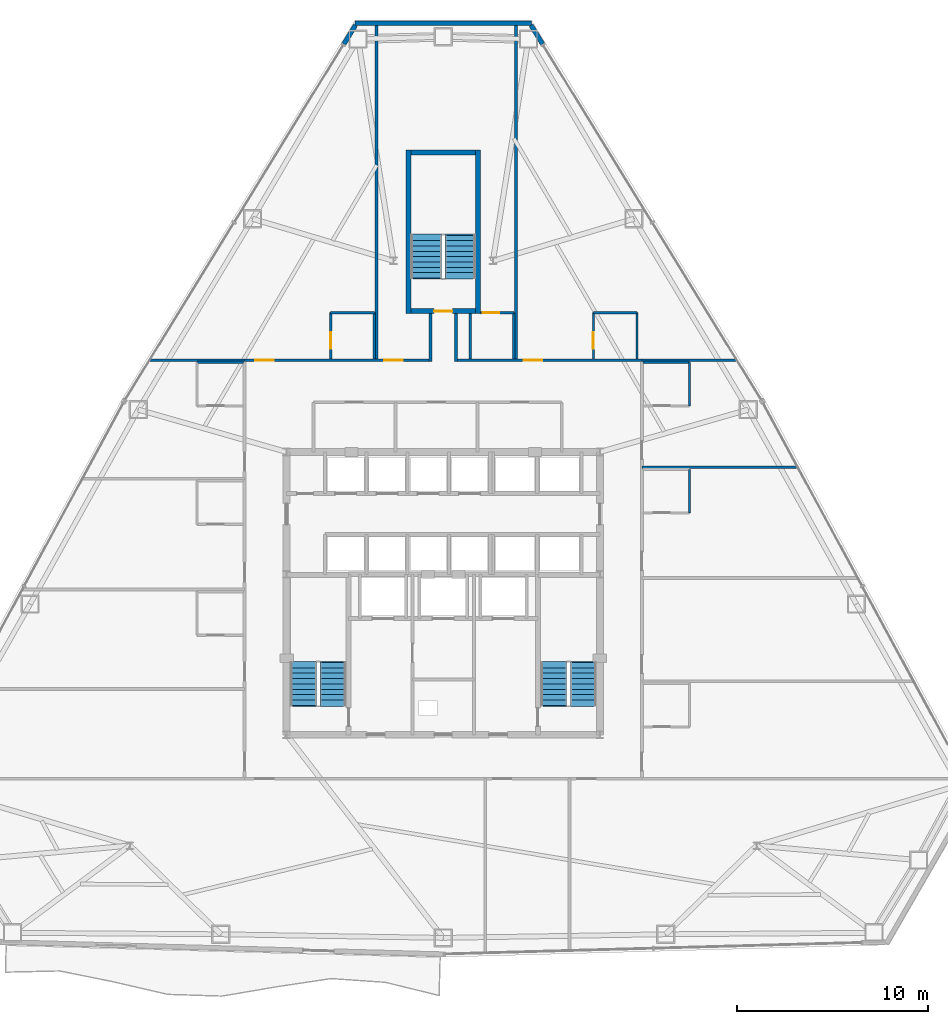
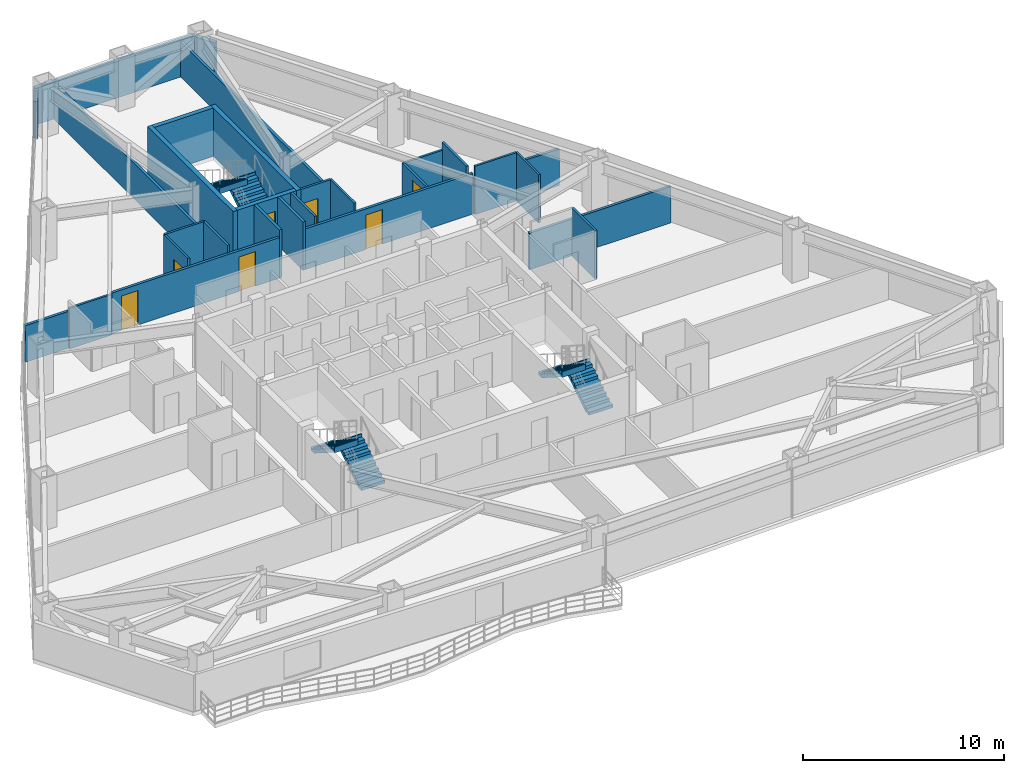
# One storey, part 11 of 13: 29 walls, 7 doors, 6 stair flights, 7 openings, 3 elements without a shape of their own.
"""IFC4 building model written with IfcOpenShell, lengths in metres."""

from ifc_helpers import new_model, si_unit, direction, frame, frame_2d, origin, place, context, subcontext, project, spatial, polyline, rectangle, outline, extrude, material, layer, layer_set, type_object, element, fill, aggregate, save


model = new_model("IFC4")

# Units and contexts
model_context = context("Model", 3, precision=1e-05, world=origin(), true_north=direction((0.0, 1.0)))
body_context = subcontext(model_context, "Body", "Model", "MODEL_VIEW")
ifc_project = project(units=[si_unit("LENGTHUNIT", "METRE"), si_unit("AREAUNIT", "SQUARE_METRE"), si_unit("VOLUMEUNIT", "CUBIC_METRE"), si_unit("PLANEANGLEUNIT", "RADIAN"), si_unit("MASSUNIT", "GRAM", prefix="KILO")], contexts=[model_context])

# Site, building, storey
site_placement = place(None, origin())
site = spatial("IfcSite", under=ifc_project, at=site_placement, CompositionType="ELEMENT")
building_placement = place(site_placement, origin())
building = spatial("IfcBuilding", under=site, at=building_placement, Name="Varakhsha Concourse Tower", CompositionType="ELEMENT")
storey_placement = place(building_placement, frame((0.0, 0.0, 108.60009765625)))
storey = spatial("IfcBuildingStorey", under=building, at=storey_placement, Name="L31", CompositionType="ELEMENT", Elevation=108.60009765625)

# Walls
ifc_material_1 = material(Name="Concrete fc 45 MPa", Category="concrete")
ifc_layer_1 = layer(ifc_material_1, 0.239990234375, Name="WL-EXT-CRN-240")
ifc_layer_set_1 = layer_set([ifc_layer_1], Name="Concrete fc 45 MPa")
wall_type_1 = type_object("IfcWallType", Name="WL-EXT-CRN-240", PredefinedType="SHEAR", material=ifc_layer_set_1)
wall_1_placement = place(storey_placement, frame((35.3857421875, 53.647705078125, 0.0), z_axis=(0.0, 0.0, 1.0), x_axis=(1.0, 0.0, 0.0)))
element("IfcWall", 1, at=wall_1_placement, inside=storey, type_object=wall_type_1, Name="L31 Chamfer Wind-Corner Insulated Wall F1", PredefinedType="SHEAR", context=body_context, shape_type="SweptSolid", body=[
    extrude(rectangle(XDim=9.228515625, YDim=0.239990234375, at=frame_2d((4.6142578125, 0.0))), origin(), (0.0, 0.0, 1.0), 2.222900390625),
])
for number, where, z_axis, x_axis, name in (
    (2, (35.40673828125, 53.53662109375, 0.0), (0.0, 0.0, 1.0), (-0.523546611926, -0.851997033528, 0.0), "L31 Wind-Corner Shoulder Wall F2"),
    (3, (45.201904296875, 52.546142578125, 0.0), (0.0, 0.0, 1.0), (-0.523546611926, 0.851997033528, 0.0), "L31 Wind-Corner Shoulder Wall F9"),
):
    element("IfcWall", number, at=place(storey_placement, frame(where, z_axis=z_axis, x_axis=x_axis)), inside=storey, type_object=wall_type_1, Name=name, PredefinedType="SHEAR", context=body_context, shape_type="SweptSolid", body=[
        extrude(rectangle(XDim=1.16259765625, YDim=0.239990234375, at=frame_2d((0.581298828125, 0.0))), origin(), (0.0, 0.0, 1.0), 2.222900390625),
    ])
ifc_material_2 = material(Name="Acoustic Gypsum Board Partition Assembly", Category="gypsum")
ifc_layer_2 = layer(ifc_material_2, 0.1201171875, Name="WL-PART-120")
ifc_layer_set_2 = layer_set([ifc_layer_2], Name="Acoustic Gypsum Board Partition Assembly")
wall_type_2 = type_object("IfcWallType", Name="WL-PART-120", PredefinedType="PARTITIONING", material=ifc_layer_set_2)
wall_2_placement = place(storey_placement, frame((27.110107421875, 35.889892578125, 0.0), z_axis=(0.0, 0.0, 1.0), x_axis=(1.0, 0.0, 0.0)))
element("IfcWall", 4, at=wall_2_placement, inside=storey, type_object=wall_type_2, Name="L31 Wall ENSW-N-L31-H07", PredefinedType="PARTITIONING", context=body_context, shape_type="SweptSolid", body=[
    extrude(rectangle(XDim=2.429931640625, YDim=0.1201171875, at=frame_2d((1.21484375, 0.0))), origin(), (0.0, 0.0, 1.0), 2.472900390625),
])
wall_3_placement = place(storey_placement, frame((52.889892578125, 28.010009765625, 0.0), z_axis=(0.0, 0.0, 1.0), x_axis=(0.0, 1.0, 0.0)))
element("IfcWall", 5, at=wall_3_placement, inside=storey, type_object=wall_type_2, Name="L31 Wall ENSW-E-L31-H10", PredefinedType="PARTITIONING", context=body_context, shape_type="SweptSolid", body=[
    extrude(rectangle(XDim=2.280029296875, YDim=0.1201171875, at=frame_2d((1.14013671875, 0.0))), origin(), (0.0, 0.0, 1.0), 2.93994140625),
])
wall_4_placement = place(storey_placement, frame((52.889892578125, 33.610107421875, 0.0), z_axis=(0.0, 0.0, 1.0), x_axis=(0.0, 1.0, 0.0)))
element("IfcWall", 6, at=wall_4_placement, inside=storey, type_object=wall_type_2, Name="L31 Wall ENSW-E-L31-H11", PredefinedType="PARTITIONING", context=body_context, shape_type="SweptSolid", body=[
    extrude(rectangle(XDim=2.27978515625, YDim=0.1201171875, at=frame_2d((1.139892578125, 0.0))), origin(), (0.0, 0.0, 1.0), 2.93994140625),
])
wall_5_placement = place(storey_placement, frame((50.4599609375, 35.889892578125, 0.0), z_axis=(0.0, 0.0, 1.0), x_axis=(1.0, 0.0, 0.0)))
element("IfcWall", 7, at=wall_5_placement, inside=storey, type_object=wall_type_2, Name="L31 Wall ENSW-N-L31-H11", PredefinedType="PARTITIONING", context=body_context, shape_type="SweptSolid", body=[
    extrude(rectangle(XDim=2.429931640625, YDim=0.1201171875, at=frame_2d((1.21484375, 0.0))), origin(), (0.0, 0.0, 1.0), 2.93994140625),
])

# Wall, opening, door
wall_6_placement = place(storey_placement, frame((34.110107421875, 36.06005859375, 0.0), z_axis=(0.0, 0.0, 1.0), x_axis=(0.0, 1.0, 0.0)))
wall_6 = element("IfcWall", 8, at=wall_6_placement, inside=storey, type_object=wall_type_2, Name="L31 Wall ENSW-W-L31-H12", PredefinedType="PARTITIONING", context=body_context, shape_type="SweptSolid", body=[
    extrude(rectangle(XDim=2.429931640625, YDim=0.1201171875, at=frame_2d((1.21484375, 0.0))), origin(), (0.0, 0.0, 1.0), 2.93994140625),
])
opening_1_placement = place(wall_6_placement, frame((0.550048828125, 0.0, 0.0)))
opening_1 = element("IfcOpeningElement", 9, at=opening_1_placement, cuts=wall_6, Name="Opening DI-01", PredefinedType="OPENING", context=body_context, shape_type="SweptSolid", body=[
    extrude(rectangle(XDim=0.85009765625, YDim=2.050048828125, at=frame_2d((0.425048828125, 1.02490234375))), frame((0.0, 0.070068359375, 0.0), z_axis=(0.0, -1.0, 0.0), x_axis=(1.0, 0.0, 0.0)), (0.0, 0.0, 1.0), 0.14013671875),
])
ifc_material_3 = material(Name="Architectural Walnut Acoustic Timber Door", Category="wood")
door_type_1 = type_object("IfcDoorType", Name="DR-INT-850", OperationType="NOTDEFINED", PredefinedType="DOOR", material=ifc_material_3)
door_1_placement = place(opening_1_placement, origin())
door_1 = element("IfcDoor", 10, at=door_1_placement, inside=storey, type_object=door_type_1, Name="L31 En-suite Bathroom Door L31-H12", OperationType="SINGLE_SWING_RIGHT", OverallHeight=2.050048828125, OverallWidth=0.85009765625, PredefinedType="DOOR", context=body_context, shape_type="SweptSolid", body=[
    extrude(rectangle(XDim=0.85009765625, YDim=2.050048828125, at=frame_2d((0.425048828125, 1.02490234375))), frame((0.0, 0.02490234375, 0.0), z_axis=(0.0, -1.0, 0.0), x_axis=(1.0, 0.0, 0.0)), (0.0, 0.0, 1.0), 0.050048828125),
])
fill(opening_1, door_1)

# Walls
wall_7_placement = place(storey_placement, frame((36.389892578125, 36.06005859375, 0.0), z_axis=(0.0, 0.0, 1.0), x_axis=(0.0, 1.0, 0.0)))
element("IfcWall", 11, at=wall_7_placement, inside=storey, type_object=wall_type_2, Name="L31 Wall ENSW-E-L31-H12", PredefinedType="PARTITIONING", context=body_context, shape_type="SweptSolid", body=[
    extrude(rectangle(XDim=2.429931640625, YDim=0.1201171875, at=frame_2d((1.21484375, 0.0))), origin(), (0.0, 0.0, 1.0), 2.93994140625),
])
wall_8_placement = place(storey_placement, frame((34.110107421875, 38.489990234375, 0.0), z_axis=(0.0, 0.0, 1.0), x_axis=(1.0, 0.0, 0.0)))
element("IfcWall", 12, at=wall_8_placement, inside=storey, type_object=wall_type_2, Name="L31 Wall ENSW-N-L31-H12", PredefinedType="PARTITIONING", context=body_context, shape_type="SweptSolid", body=[
    extrude(rectangle(XDim=2.27978515625, YDim=0.1201171875, at=frame_2d((1.139892578125, 0.0))), origin(), (0.0, 0.0, 1.0), 2.93994140625),
])
wall_9_placement = place(storey_placement, frame((41.409912109375, 36.06005859375, 0.0), z_axis=(0.0, 0.0, 1.0), x_axis=(0.0, 1.0, 0.0)))
element("IfcWall", 13, at=wall_9_placement, inside=storey, type_object=wall_type_2, Name="L31 Wall ENSW-W-L31-H13", PredefinedType="PARTITIONING", context=body_context, shape_type="SweptSolid", body=[
    extrude(rectangle(XDim=2.389892578125, YDim=0.1201171875, at=frame_2d((1.19482421875, 0.0))), origin(), (0.0, 0.0, 1.0), 2.93994140625),
])
wall_10_placement = place(storey_placement, frame((43.68994140625, 36.06005859375, 0.0), z_axis=(0.0, 0.0, 1.0), x_axis=(0.0, 1.0, 0.0)))
element("IfcWall", 14, at=wall_10_placement, inside=storey, type_object=wall_type_2, Name="L31 Wall ENSW-E-L31-H13", PredefinedType="PARTITIONING", context=body_context, shape_type="SweptSolid", body=[
    extrude(rectangle(XDim=2.429931640625, YDim=0.1201171875, at=frame_2d((1.21484375, 0.0))), origin(), (0.0, 0.0, 1.0), 2.93994140625),
])

# Wall, opening, door
wall_11_placement = place(storey_placement, frame((41.949951171875, 38.489990234375, 0.0), z_axis=(0.0, 0.0, 1.0), x_axis=(1.0, 0.0, 0.0)))
wall_11 = element("IfcWall", 15, at=wall_11_placement, inside=storey, type_object=wall_type_2, Name="L31 Wall ENSW-N-L31-H13", PredefinedType="PARTITIONING", context=body_context, shape_type="SweptSolid", body=[
    extrude(rectangle(XDim=1.739990234375, YDim=0.1201171875, at=frame_2d((0.8701171875, 0.0))), origin(), (0.0, 0.0, 1.0), 2.93994140625),
])
opening_2_placement = place(wall_11_placement, frame((0.1201171875, 0.0, 0.0)))
opening_2 = element("IfcOpeningElement", 16, at=opening_2_placement, cuts=wall_11, Name="Opening DI-01", PredefinedType="OPENING", context=body_context, shape_type="SweptSolid", body=[
    extrude(rectangle(XDim=0.85009765625, YDim=2.050048828125, at=frame_2d((0.425048828125, 1.02490234375))), frame((0.0, 0.070068359375, 0.0), z_axis=(0.0, -1.0, 0.0), x_axis=(1.0, 0.0, 0.0)), (0.0, 0.0, 1.0), 0.14013671875),
])
door_2_placement = place(opening_2_placement, origin())
door_2 = element("IfcDoor", 17, at=door_2_placement, inside=storey, type_object=door_type_1, Name="L31 En-suite Bathroom Door L31-H13", OperationType="SINGLE_SWING_RIGHT", OverallHeight=2.050048828125, OverallWidth=0.85009765625, PredefinedType="DOOR", context=body_context, shape_type="SweptSolid", body=[
    extrude(rectangle(XDim=0.85009765625, YDim=2.050048828125, at=frame_2d((0.425048828125, 1.02490234375))), frame((0.0, 0.02490234375, 0.0), z_axis=(0.0, -1.0, 0.0), x_axis=(1.0, 0.0, 0.0)), (0.0, 0.0, 1.0), 0.050048828125),
])
fill(opening_2, door_2)

wall_12_placement = place(storey_placement, frame((47.860107421875, 36.06005859375, 0.0), z_axis=(0.0, 0.0, 1.0), x_axis=(0.0, 1.0, 0.0)))
wall_12 = element("IfcWall", 18, at=wall_12_placement, inside=storey, type_object=wall_type_2, Name="L31 Wall ENSW-W-L31-H14", PredefinedType="PARTITIONING", context=body_context, shape_type="SweptSolid", body=[
    extrude(rectangle(XDim=2.429931640625, YDim=0.1201171875, at=frame_2d((1.21484375, 0.0))), origin(), (0.0, 0.0, 1.0), 2.472900390625),
])
opening_3_placement = place(wall_12_placement, frame((0.550048828125, 0.0, 0.0)))
opening_3 = element("IfcOpeningElement", 19, at=opening_3_placement, cuts=wall_12, Name="Opening DI-01", PredefinedType="OPENING", context=body_context, shape_type="SweptSolid", body=[
    extrude(rectangle(XDim=0.85009765625, YDim=2.050048828125, at=frame_2d((0.425048828125, 1.02490234375))), frame((0.0, 0.070068359375, 0.0), z_axis=(0.0, -1.0, 0.0), x_axis=(1.0, 0.0, 0.0)), (0.0, 0.0, 1.0), 0.14013671875),
])
door_3_placement = place(opening_3_placement, origin())
door_3 = element("IfcDoor", 20, at=door_3_placement, inside=storey, type_object=door_type_1, Name="L31 En-suite Bathroom Door L31-H14", OperationType="SINGLE_SWING_RIGHT", OverallHeight=2.050048828125, OverallWidth=0.85009765625, PredefinedType="DOOR", context=body_context, shape_type="SweptSolid", body=[
    extrude(rectangle(XDim=0.85009765625, YDim=2.050048828125, at=frame_2d((0.425048828125, 1.02490234375))), frame((0.0, 0.02490234375, 0.0), z_axis=(0.0, -1.0, 0.0), x_axis=(1.0, 0.0, 0.0)), (0.0, 0.0, 1.0), 0.050048828125),
])
fill(opening_3, door_3)

# Walls
wall_13_placement = place(storey_placement, frame((50.139892578125, 36.06005859375, 0.0), z_axis=(0.0, 0.0, 1.0), x_axis=(0.0, 1.0, 0.0)))
element("IfcWall", 21, at=wall_13_placement, inside=storey, type_object=wall_type_2, Name="L31 Wall ENSW-E-L31-H14", PredefinedType="PARTITIONING", context=body_context, shape_type="SweptSolid", body=[
    extrude(rectangle(XDim=2.429931640625, YDim=0.1201171875, at=frame_2d((1.21484375, 0.0))), origin(), (0.0, 0.0, 1.0), 2.93994140625),
])
wall_14_placement = place(storey_placement, frame((47.860107421875, 38.489990234375, 0.0), z_axis=(0.0, 0.0, 1.0), x_axis=(1.0, 0.0, 0.0)))
element("IfcWall", 22, at=wall_14_placement, inside=storey, type_object=wall_type_2, Name="L31 Wall ENSW-N-L31-H14", PredefinedType="PARTITIONING", context=body_context, shape_type="SweptSolid", body=[
    extrude(rectangle(XDim=2.27978515625, YDim=0.1201171875, at=frame_2d((1.139892578125, 0.0))), origin(), (0.0, 0.0, 1.0), 2.472900390625),
])

# Wall, openings, doors
ifc_material_4 = material(Name="Fire-Rated Type X Gypsum Partition Assembly", Category="gypsum")
ifc_layer_3 = layer(ifc_material_4, 0.14990234375, Name="WL-PART-150")
ifc_layer_set_3 = layer_set([ifc_layer_3], Name="Fire-Rated Type X Gypsum Partition Assembly")
wall_type_3 = type_object("IfcWallType", Name="WL-PART-150", PredefinedType="PARTITIONING", material=ifc_layer_set_3)
wall_15_placement = place(storey_placement, frame((29.60009765625, 36.0, 0.0), z_axis=(0.0, 0.0, 1.0), x_axis=(1.0, 0.0, 0.0)))
wall_15 = element("IfcWall", 23, at=wall_15_placement, inside=storey, type_object=wall_type_3, Name="L31 Wall CRW-N-L31", PredefinedType="PARTITIONING", context=body_context, shape_type="SweptSolid", body=[
    extrude(rectangle(XDim=9.64990234375, YDim=0.14990234375, at=frame_2d((4.824951171875, 0.0))), origin(), (0.0, 0.0, 1.0), 2.472900390625),
])
opening_4_placement = place(wall_15_placement, frame((0.570068359375, 0.0, 0.0)))
opening_4 = element("IfcOpeningElement", 24, at=opening_4_placement, cuts=wall_15, Name="Opening DF-05", PredefinedType="OPENING", context=body_context, shape_type="SweptSolid", body=[
    extrude(rectangle(XDim=0.949951171875, YDim=2.10009765625, at=frame_2d((0.47509765625, 1.050048828125))), frame((0.0, 0.0849609375, 0.0), z_axis=(0.0, -1.0, 0.0), x_axis=(1.0, 0.0, 0.0)), (0.0, 0.0, 1.0), 0.169921875),
])
opening_5_placement = place(wall_15_placement, frame((7.320068359375, 0.0, 0.0)))
opening_5 = element("IfcOpeningElement", 25, at=opening_5_placement, cuts=wall_15, Name="Opening DF-05", PredefinedType="OPENING", context=body_context, shape_type="SweptSolid", body=[
    extrude(rectangle(XDim=0.949951171875, YDim=2.10009765625, at=frame_2d((0.47509765625, 1.050048828125))), frame((0.0, 0.0849609375, 0.0), z_axis=(0.0, -1.0, 0.0), x_axis=(1.0, 0.0, 0.0)), (0.0, 0.0, 1.0), 0.169921875),
])
ifc_material_5 = material(Name="Hollow Galvanised Steel Fire Door Assembly", Category="steel")
door_type_2 = type_object("IfcDoorType", Name="DR-FD60-950", OperationType="NOTDEFINED", PredefinedType="DOOR", material=ifc_material_5)
door_4_placement = place(opening_4_placement, origin())
door_4 = element("IfcDoor", 26, at=door_4_placement, inside=storey, type_object=door_type_2, Name="L31 Hotel Corner Suite L31-H12 Entry Door", OperationType="SINGLE_SWING_RIGHT", OverallHeight=2.10009765625, OverallWidth=0.949951171875, PredefinedType="DOOR", context=body_context, shape_type="SweptSolid", body=[
    extrude(rectangle(XDim=0.949951171875, YDim=2.10009765625, at=frame_2d((0.47509765625, 1.050048828125))), frame((0.0, 0.02490234375, 0.0), z_axis=(0.0, -1.0, 0.0), x_axis=(1.0, 0.0, 0.0)), (0.0, 0.0, 1.0), 0.050048828125),
])
fill(opening_4, door_4)
door_5_placement = place(opening_5_placement, origin())
door_5 = element("IfcDoor", 27, at=door_5_placement, inside=storey, type_object=door_type_2, Name="L31 Hotel Corner Suite L31-H13 Entry Door", OperationType="SINGLE_SWING_LEFT", OverallHeight=2.10009765625, OverallWidth=0.949951171875, PredefinedType="DOOR", context=body_context, shape_type="SweptSolid", body=[
    extrude(rectangle(XDim=0.949951171875, YDim=2.10009765625, at=frame_2d((0.47509765625, 1.050048828125))), frame((0.0, 0.02490234375, 0.0), z_axis=(0.0, -1.0, 0.0), x_axis=(1.0, 0.0, 0.0)), (0.0, 0.0, 1.0), 0.050048828125),
])
fill(opening_5, door_5)

# Wall, opening, door
wall_16_placement = place(storey_placement, frame((40.75, 36.0, 0.0), z_axis=(0.0, 0.0, 1.0), x_axis=(1.0, 0.0, 0.0)))
wall_16 = element("IfcWall", 28, at=wall_16_placement, inside=storey, type_object=wall_type_3, Name="L31 Wall CRW-N-L31-B", PredefinedType="PARTITIONING", context=body_context, shape_type="SweptSolid", body=[
    extrude(rectangle(XDim=9.64990234375, YDim=0.14990234375, at=frame_2d((4.824951171875, 0.0))), origin(), (0.0, 0.0, 1.0), 2.472900390625),
])
opening_6_placement = place(wall_16_placement, frame((3.469970703125, 0.0, 0.0)))
opening_6 = element("IfcOpeningElement", 29, at=opening_6_placement, cuts=wall_16, Name="Opening DF-05", PredefinedType="OPENING", context=body_context, shape_type="SweptSolid", body=[
    extrude(rectangle(XDim=0.949951171875, YDim=2.10009765625, at=frame_2d((0.47509765625, 1.050048828125))), frame((0.0, 0.0849609375, 0.0), z_axis=(0.0, -1.0, 0.0), x_axis=(1.0, 0.0, 0.0)), (0.0, 0.0, 1.0), 0.169921875),
])
door_6_placement = place(opening_6_placement, origin())
door_6 = element("IfcDoor", 30, at=door_6_placement, inside=storey, type_object=door_type_2, Name="L31 Hotel Corner Suite L31-H14 Entry Door", OperationType="SINGLE_SWING_RIGHT", OverallHeight=2.10009765625, OverallWidth=0.949951171875, PredefinedType="DOOR", context=body_context, shape_type="SweptSolid", body=[
    extrude(rectangle(XDim=0.949951171875, YDim=2.10009765625, at=frame_2d((0.47509765625, 1.050048828125))), frame((0.0, 0.02490234375, 0.0), z_axis=(0.0, -1.0, 0.0), x_axis=(1.0, 0.0, 0.0)), (0.0, 0.0, 1.0), 0.050048828125),
])
fill(opening_6, door_6)

# Walls
for number, where, z_axis, x_axis, name in (
    (31, (24.63330078125, 36.0, 0.0), (0.0, 0.0, 1.0), (1.0, 0.0, 0.0), "L31 Wall HDIV-WBN-L31"),
    (32, (50.39990234375, 36.0, 0.0), (0.0, 0.0, 1.0), (1.0, 0.0, 0.0), "L31 Wall HDIV-EBN-L31"),
):
    element("IfcWall", number, at=place(storey_placement, frame(where, z_axis=z_axis, x_axis=x_axis)), inside=storey, type_object=wall_type_3, Name=name, PredefinedType="PARTITIONING", context=body_context, shape_type="SweptSolid", body=[
        extrude(rectangle(XDim=4.966796875, YDim=0.14990234375, at=frame_2d((2.4833984375, 0.0))), origin(), (0.0, 0.0, 1.0), 2.227783203125),
    ])
wall_17_placement = place(storey_placement, frame((50.39990234375, 30.39990234375, 0.0), z_axis=(0.0, 0.0, 1.0), x_axis=(1.0, 0.0, 0.0)))
element("IfcWall", 33, at=wall_17_placement, inside=storey, type_object=wall_type_3, Name="L31 Wall HDIV-E3-L31", PredefinedType="PARTITIONING", context=body_context, shape_type="SweptSolid", body=[
    extrude(rectangle(XDim=8.156494140625, YDim=0.14990234375, at=frame_2d((4.078125, 0.0))), origin(), (0.0, 0.0, 1.0), 2.227783203125),
])
for number, where, z_axis, x_axis, name in (
    (34, (36.5, 36.0, 0.0), (0.0, 0.0, 1.0), (0.0, 1.0, 0.0), "L31 Wall HDIV-N1-L31"),
    (35, (43.800048828125, 36.0, 0.0), (0.0, 0.0, 1.0), (0.0, 1.0, 0.0), "L31 Wall HDIV-N2-L31"),
):
    element("IfcWall", number, at=place(storey_placement, frame(where, z_axis=z_axis, x_axis=x_axis)), inside=storey, type_object=wall_type_3, Name=name, PredefinedType="PARTITIONING", context=body_context, shape_type="SweptSolid", body=[
        extrude(rectangle(XDim=17.642822265625, YDim=0.14990234375, at=frame_2d((8.8212890625, 0.0))), origin(), (0.0, 0.0, 1.0), 2.15087890625),
    ])
for number, where, z_axis, x_axis, name in (
    (36, (39.324951171875, 35.925048828125, 0.0), (0.0, 0.0, 1.0), (0.0, 1.0, 0.0), "L31 Wall STUB-W-L31"),
    (37, (40.675048828125, 35.925048828125, 0.0), (0.0, 0.0, 1.0), (0.0, 1.0, 0.0), "L31 Wall STUB-E-L31"),
):
    element("IfcWall", number, at=place(storey_placement, frame(where, z_axis=z_axis, x_axis=x_axis)), inside=storey, type_object=wall_type_3, Name=name, PredefinedType="PARTITIONING", context=body_context, shape_type="SweptSolid", body=[
        extrude(rectangle(XDim=2.52490234375, YDim=0.14990234375, at=frame_2d((1.262451171875, 0.0))), origin(), (0.0, 0.0, 1.0), 2.93994140625),
    ])
ifc_layer_4 = layer(ifc_material_1, 0.25, Name="WL-STAIR-250")
ifc_layer_set_4 = layer_set([ifc_layer_4], Name="Concrete fc 45 MPa")
wall_type_4 = type_object("IfcWallType", Name="WL-STAIR-250", PredefinedType="SHEAR", material=ifc_layer_set_4)
for number, where, z_axis, x_axis, name in (
    (38, (38.175048828125, 38.449951171875, 0.0), (0.0, 0.0, 1.0), (0.0, 1.0, 0.0), "L31 Wall SWALL-ST5-W-L31"),
    (39, (41.824951171875, 38.449951171875, 0.0), (0.0, 0.0, 1.0), (0.0, 1.0, 0.0), "L31 Wall SWALL-ST5-E-L31"),
):
    element("IfcWall", number, at=place(storey_placement, frame(where, z_axis=z_axis, x_axis=x_axis)), inside=storey, type_object=wall_type_4, Name=name, PredefinedType="SHEAR", context=body_context, shape_type="SweptSolid", body=[
        extrude(rectangle(XDim=8.550048828125, YDim=0.25, at=frame_2d((4.27490234375, 0.0))), origin(), (0.0, 0.0, 1.0), 2.93994140625),
    ])

# Wall, opening, door
wall_18_placement = place(storey_placement, frame((38.300048828125, 38.574951171875, 0.0), z_axis=(0.0, 0.0, 1.0), x_axis=(1.0, 0.0, 0.0)))
wall_18 = element("IfcWall", 40, at=wall_18_placement, inside=storey, type_object=wall_type_4, Name="L31 Wall SWALL-ST5-S-L31", PredefinedType="SHEAR", context=body_context, shape_type="SweptSolid", body=[
    extrude(rectangle(XDim=3.39990234375, YDim=0.25, at=frame_2d((1.699951171875, 0.0))), origin(), (0.0, 0.0, 1.0), 2.93994140625),
])
opening_7_placement = place(wall_18_placement, frame((1.22509765625, 0.0, 0.0)))
opening_7 = element("IfcOpeningElement", 41, at=opening_7_placement, cuts=wall_18, Name="Opening DF-03", PredefinedType="OPENING", context=body_context, shape_type="SweptSolid", body=[
    extrude(rectangle(XDim=0.949951171875, YDim=2.10009765625, at=frame_2d((0.47509765625, 1.050048828125))), frame((0.0, 0.135009765625, 0.0), z_axis=(0.0, -1.0, 0.0), x_axis=(1.0, 0.0, 0.0)), (0.0, 0.0, 1.0), 0.27001953125),
])
door_type_3 = type_object("IfcDoorType", Name="DR-FD90-950", OperationType="NOTDEFINED", PredefinedType="DOOR", material=ifc_material_5)
door_7_placement = place(opening_7_placement, origin())
door_7 = element("IfcDoor", 42, at=door_7_placement, inside=storey, type_object=door_type_3, Name="L31 Stair ST5 Fire Door", OperationType="SINGLE_SWING_RIGHT", OverallHeight=2.10009765625, OverallWidth=0.949951171875, PredefinedType="DOOR", context=body_context, shape_type="SweptSolid", body=[
    extrude(rectangle(XDim=0.949951171875, YDim=2.10009765625, at=frame_2d((0.47509765625, 1.050048828125))), frame((0.0, 0.02490234375, 0.0), z_axis=(0.0, -1.0, 0.0), x_axis=(1.0, 0.0, 0.0)), (0.0, 0.0, 1.0), 0.050048828125),
])
fill(opening_7, door_7)

# Wall
wall_19_placement = place(storey_placement, frame((38.300048828125, 46.875, 0.0), z_axis=(0.0, 0.0, 1.0), x_axis=(1.0, 0.0, 0.0)))
element("IfcWall", 43, at=wall_19_placement, inside=storey, type_object=wall_type_4, Name="L31 Wall SWALL-ST5-N-L31", PredefinedType="SHEAR", context=body_context, shape_type="SweptSolid", body=[
    extrude(rectangle(XDim=3.39990234375, YDim=0.25, at=frame_2d((1.699951171875, 0.0))), origin(), (0.0, 0.0, 1.0), 2.93994140625),
])

# Stair, stair flights
stair_type_1 = type_object("IfcStairType", Name="ST-DOGLEG-1360", PredefinedType="HALF_TURN_STAIR", material=ifc_material_1)
stair_1_placement = place(storey_placement, origin())
stair_1 = element("IfcStair", 44, at=stair_1_placement, inside=storey, type_object=stair_type_1, Name="L31 Protected Exit Stair ST1", PredefinedType="HALF_TURN_STAIR")
stair_flight_type_1 = type_object("IfcStairFlightType", Name="STF-1360-R1778", PredefinedType="STRAIGHT", material=ifc_material_1)
stair_flight_1_placement = place(storey_placement, frame((34.239990234375, 17.93994140625, 0.0), z_axis=(0.0, 0.0, 1.0), x_axis=(0.0, 1.0, 0.0)))
stair_flight_1 = element("IfcStairFlight", 45, at=stair_flight_1_placement, type_object=stair_flight_type_1, Name="ST1 flight 1", NumberOfRisers=9, NumberOfTreads=8, PredefinedType="STRAIGHT", RiserHeight=0.177777778, TreadLength=0.28, context=body_context, shape_type="SweptSolid", body=[
    extrude(outline(polyline([(-0.06005859375, 0.0), (-0.06005859375, 0.177734375), (0.0, 0.177734375), (0.280029296875, 0.177734375), (0.280029296875, 0.35546875), (0.56005859375, 0.35546875), (0.56005859375, 0.533447265625), (0.840087890625, 0.533447265625), (0.840087890625, 0.711181640625), (1.1201171875, 0.711181640625), (1.1201171875, 0.888916015625), (1.39990234375, 0.888916015625), (1.39990234375, 1.066650390625), (1.679931640625, 1.066650390625), (1.679931640625, 1.244384765625), (1.9599609375, 1.244384765625), (1.9599609375, 1.422119140625), (2.239990234375, 1.422119140625), (2.239990234375, 1.60009765625), (2.300048828125, 1.60009765625), (2.300048828125, 1.24462890625), (2.239990234375, 1.24462890625), (0.27978515625, 0.0), (-0.06005859375, 0.0)])), frame((0.0, 0.68017578125, 0.0), z_axis=(0.0, -1.0, 0.0), x_axis=(1.0, 0.0, 0.0)), (0.0, 0.0, 1.0), 1.360107421875),
])
stair_flight_2_placement = place(storey_placement, frame((32.679931640625, 20.179931640625, 1.599853515625), z_axis=(0.0, 0.0, 1.0), x_axis=(0.0, -1.0, 0.0)))
stair_flight_2 = element("IfcStairFlight", 46, at=stair_flight_2_placement, type_object=stair_flight_type_1, Name="ST1 flight 2", NumberOfRisers=9, NumberOfTreads=8, PredefinedType="STRAIGHT", RiserHeight=0.177777778, TreadLength=0.28, context=body_context, shape_type="SweptSolid", body=[
    extrude(outline(polyline([(-0.06005859375, 0.0), (-0.06005859375, 0.177734375), (0.0, 0.177734375), (0.280029296875, 0.177734375), (0.280029296875, 0.35546875), (0.56005859375, 0.35546875), (0.56005859375, 0.533447265625), (0.840087890625, 0.533447265625), (0.840087890625, 0.711181640625), (1.1201171875, 0.711181640625), (1.1201171875, 0.888916015625), (1.39990234375, 0.888916015625), (1.39990234375, 1.066650390625), (1.679931640625, 1.066650390625), (1.679931640625, 1.244384765625), (1.9599609375, 1.244384765625), (1.9599609375, 1.422119140625), (2.239990234375, 1.422119140625), (2.239990234375, 1.60009765625), (2.300048828125, 1.60009765625), (2.300048828125, 1.24462890625), (2.239990234375, 1.24462890625), (0.27978515625, 0.0), (-0.06005859375, 0.0)])), frame((0.0, 0.68017578125, 0.0), z_axis=(0.0, -1.0, 0.0), x_axis=(1.0, 0.0, 0.0)), (0.0, 0.0, 1.0), 1.360107421875),
])
aggregate(stair_1, [stair_flight_1, stair_flight_2])

stair_2_placement = place(storey_placement, origin())
stair_2 = element("IfcStair", 47, at=stair_2_placement, inside=storey, type_object=stair_type_1, Name="L31 Protected Exit Stair ST2", PredefinedType="HALF_TURN_STAIR")
stair_flight_3_placement = place(storey_placement, frame((47.340087890625, 17.93994140625, 0.0), z_axis=(0.0, 0.0, 1.0), x_axis=(0.0, 1.0, 0.0)))
stair_flight_3 = element("IfcStairFlight", 48, at=stair_flight_3_placement, type_object=stair_flight_type_1, Name="ST2 flight 1", NumberOfRisers=9, NumberOfTreads=8, PredefinedType="STRAIGHT", RiserHeight=0.177777778, TreadLength=0.28, context=body_context, shape_type="SweptSolid", body=[
    extrude(outline(polyline([(-0.06005859375, 0.0), (-0.06005859375, 0.177734375), (0.0, 0.177734375), (0.280029296875, 0.177734375), (0.280029296875, 0.35546875), (0.56005859375, 0.35546875), (0.56005859375, 0.533447265625), (0.840087890625, 0.533447265625), (0.840087890625, 0.711181640625), (1.1201171875, 0.711181640625), (1.1201171875, 0.888916015625), (1.39990234375, 0.888916015625), (1.39990234375, 1.066650390625), (1.679931640625, 1.066650390625), (1.679931640625, 1.244384765625), (1.9599609375, 1.244384765625), (1.9599609375, 1.422119140625), (2.239990234375, 1.422119140625), (2.239990234375, 1.60009765625), (2.300048828125, 1.60009765625), (2.300048828125, 1.24462890625), (2.239990234375, 1.24462890625), (0.27978515625, 0.0), (-0.06005859375, 0.0)])), frame((0.0, 0.68017578125, 0.0), z_axis=(0.0, -1.0, 0.0), x_axis=(1.0, 0.0, 0.0)), (0.0, 0.0, 1.0), 1.360107421875),
])
stair_flight_4_placement = place(storey_placement, frame((45.780029296875, 20.179931640625, 1.599853515625), z_axis=(0.0, 0.0, 1.0), x_axis=(0.0, -1.0, 0.0)))
stair_flight_4 = element("IfcStairFlight", 49, at=stair_flight_4_placement, type_object=stair_flight_type_1, Name="ST2 flight 2", NumberOfRisers=9, NumberOfTreads=8, PredefinedType="STRAIGHT", RiserHeight=0.177777778, TreadLength=0.28, context=body_context, shape_type="SweptSolid", body=[
    extrude(outline(polyline([(-0.06005859375, 0.0), (-0.06005859375, 0.177734375), (0.0, 0.177734375), (0.280029296875, 0.177734375), (0.280029296875, 0.35546875), (0.56005859375, 0.35546875), (0.56005859375, 0.533447265625), (0.840087890625, 0.533447265625), (0.840087890625, 0.711181640625), (1.1201171875, 0.711181640625), (1.1201171875, 0.888916015625), (1.39990234375, 0.888916015625), (1.39990234375, 1.066650390625), (1.679931640625, 1.066650390625), (1.679931640625, 1.244384765625), (1.9599609375, 1.244384765625), (1.9599609375, 1.422119140625), (2.239990234375, 1.422119140625), (2.239990234375, 1.60009765625), (2.300048828125, 1.60009765625), (2.300048828125, 1.24462890625), (2.239990234375, 1.24462890625), (0.27978515625, 0.0), (-0.06005859375, 0.0)])), frame((0.0, 0.68017578125, 0.0), z_axis=(0.0, -1.0, 0.0), x_axis=(1.0, 0.0, 0.0)), (0.0, 0.0, 1.0), 1.360107421875),
])
aggregate(stair_2, [stair_flight_3, stair_flight_4])

stair_type_2 = type_object("IfcStairType", Name="ST-DOGLEG-1600", PredefinedType="HALF_TURN_STAIR", material=ifc_material_1)
stair_3_placement = place(storey_placement, origin())
stair_3 = element("IfcStair", 50, at=stair_3_placement, inside=storey, type_object=stair_type_2, Name="L31 Protected Exit Stair ST5", PredefinedType="HALF_TURN_STAIR")
stair_flight_type_2 = type_object("IfcStairFlightType", Name="STF-1600-R1778", PredefinedType="STRAIGHT", material=ifc_material_1)
stair_flight_5_placement = place(storey_placement, frame((40.89990234375, 40.300048828125, 0.0), z_axis=(0.0, 0.0, 1.0), x_axis=(0.0, 1.0, 0.0)))
stair_flight_5 = element("IfcStairFlight", 51, at=stair_flight_5_placement, type_object=stair_flight_type_2, Name="ST5 flight 1", NumberOfRisers=9, NumberOfTreads=8, PredefinedType="STRAIGHT", RiserHeight=0.177777778, TreadLength=0.28, context=body_context, shape_type="SweptSolid", body=[
    extrude(outline(polyline([(-0.06005859375, 0.0), (-0.06005859375, 0.177734375), (0.0, 0.177734375), (0.280029296875, 0.177734375), (0.280029296875, 0.35546875), (0.56005859375, 0.35546875), (0.56005859375, 0.533447265625), (0.840087890625, 0.533447265625), (0.840087890625, 0.711181640625), (1.1201171875, 0.711181640625), (1.1201171875, 0.888916015625), (1.39990234375, 0.888916015625), (1.39990234375, 1.066650390625), (1.679931640625, 1.066650390625), (1.679931640625, 1.244384765625), (1.9599609375, 1.244384765625), (1.9599609375, 1.422119140625), (2.239990234375, 1.422119140625), (2.239990234375, 1.60009765625), (2.300048828125, 1.60009765625), (2.300048828125, 1.24462890625), (2.239990234375, 1.24462890625), (0.27978515625, 0.0), (-0.06005859375, 0.0)])), frame((0.0, 0.800048828125, 0.0), z_axis=(0.0, -1.0, 0.0), x_axis=(1.0, 0.0, 0.0)), (0.0, 0.0, 1.0), 1.60009765625),
])
stair_flight_6_placement = place(storey_placement, frame((39.10009765625, 42.5400390625, 1.599853515625), z_axis=(0.0, 0.0, 1.0), x_axis=(0.0, -1.0, 0.0)))
stair_flight_6 = element("IfcStairFlight", 52, at=stair_flight_6_placement, type_object=stair_flight_type_2, Name="ST5 flight 2", NumberOfRisers=9, NumberOfTreads=8, PredefinedType="STRAIGHT", RiserHeight=0.177777778, TreadLength=0.28, context=body_context, shape_type="SweptSolid", body=[
    extrude(outline(polyline([(-0.06005859375, 0.0), (-0.06005859375, 0.177734375), (0.0, 0.177734375), (0.280029296875, 0.177734375), (0.280029296875, 0.35546875), (0.56005859375, 0.35546875), (0.56005859375, 0.533447265625), (0.840087890625, 0.533447265625), (0.840087890625, 0.711181640625), (1.1201171875, 0.711181640625), (1.1201171875, 0.888916015625), (1.39990234375, 0.888916015625), (1.39990234375, 1.066650390625), (1.679931640625, 1.066650390625), (1.679931640625, 1.244384765625), (1.9599609375, 1.244384765625), (1.9599609375, 1.422119140625), (2.239990234375, 1.422119140625), (2.239990234375, 1.60009765625), (2.300048828125, 1.60009765625), (2.300048828125, 1.24462890625), (2.239990234375, 1.24462890625), (0.27978515625, 0.0), (-0.06005859375, 0.0)])), frame((0.0, 0.800048828125, 0.0), z_axis=(0.0, -1.0, 0.0), x_axis=(1.0, 0.0, 0.0)), (0.0, 0.0, 1.0), 1.60009765625),
])
aggregate(stair_3, [stair_flight_5, stair_flight_6])

save(model, "model.ifc")
